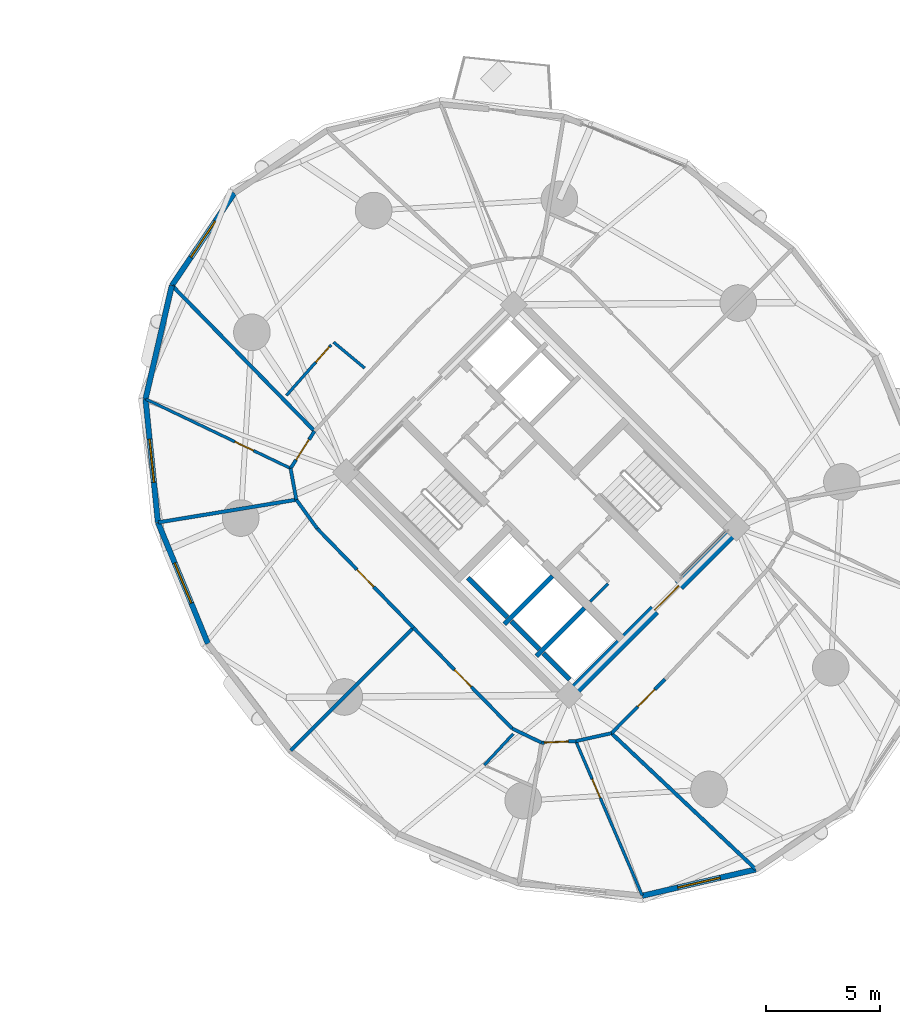
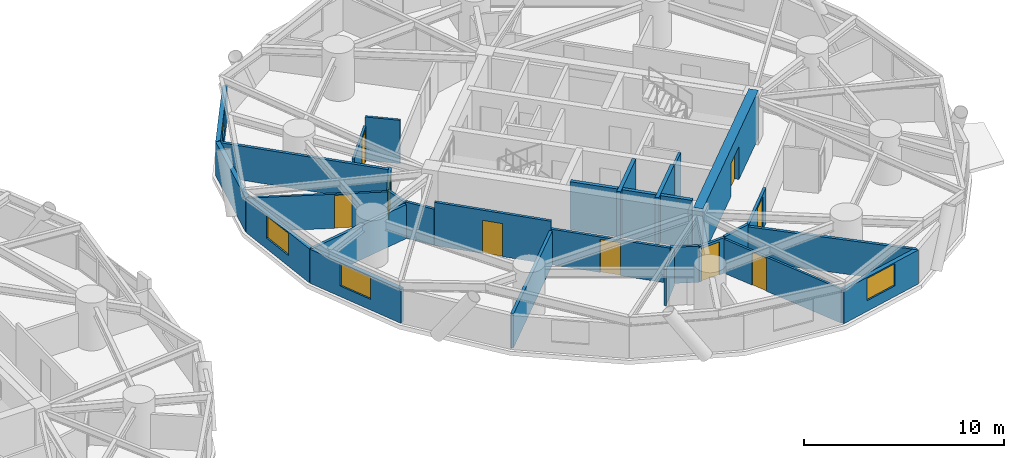
# One storey, part 12 of 19: 30 walls, 9 doors, 4 windows, 13 openings.
"""IFC4 building model written with IfcOpenShell, lengths in metres."""

from ifc_helpers import new_model, si_unit, direction, frame, frame_2d, origin, place, context, subcontext, project, spatial, rectangle, extrude, source, transform, mapped, material, layer, layer_set, type_object, element, fill, save


model = new_model("IFC4")

# Units and contexts
model_context = context("Model", 3, precision=1e-05, world=origin(), true_north=direction((0.0, 1.0)))
body_context = subcontext(model_context, "Body", "Model", "MODEL_VIEW")
ifc_project = project(units=[si_unit("LENGTHUNIT", "METRE"), si_unit("AREAUNIT", "SQUARE_METRE"), si_unit("VOLUMEUNIT", "CUBIC_METRE"), si_unit("PLANEANGLEUNIT", "RADIAN"), si_unit("MASSUNIT", "GRAM", prefix="KILO")], contexts=[model_context])

# Site, building, storey
site_placement = place(None, origin())
site = spatial("IfcSite", under=ifc_project, at=site_placement, CompositionType="ELEMENT")
building_placement = place(site_placement, origin())
building = spatial("IfcBuilding", under=site, at=building_placement, Name="Cununo Teusaquillo Station Towers", CompositionType="ELEMENT")
storey_placement = place(building_placement, frame((0.0, 0.0, 33.639892578125)))
storey = spatial("IfcBuildingStorey", under=building, at=storey_placement, Name="L09", CompositionType="ELEMENT", Elevation=33.639892578125)

# Walls
ifc_material_1 = material(Name="Concrete C50/60", Category="concrete")
ifc_layer_1 = layer(ifc_material_1, 0.199951171875)
ifc_layer_set_1 = layer_set([ifc_layer_1], Name="Concrete C50/60")
wall_type_1 = type_object("IfcWallType", Name="WL-CORE-200", PredefinedType="SHEAR", material=ifc_layer_set_1)
wall_1_placement = place(storey_placement, frame((55.8876953125, 19.0693359375, 0.0), z_axis=(0.0, 0.0, 1.0), x_axis=(0.707106781187, 0.707106781187, 0.0)))
element("IfcWall", 1, at=wall_1_placement, inside=storey, type_object=wall_type_1, Name="L09 Tower B Firefighting Lift Shaft South Shear Wall", PredefinedType="SHEAR", context=body_context, shape_type="SweptSolid", body=[
    extrude(rectangle(XDim=2.969970703125, YDim=0.199951171875, at=frame_2d((1.48486328125, 0.0))), origin(), (0.0, 0.0, 1.0), 2.91015625),
])
wall_2_placement = place(storey_placement, frame((56.01513671875, 19.366455078125, 0.0), z_axis=(0.0, 0.0, 1.0), x_axis=(-0.707106781187, 0.707106781187, 0.0)))
element("IfcWall", 2, at=wall_2_placement, inside=storey, type_object=wall_type_1, Name="L09 Tower B Firefighting Lift Shaft Rear Shear Wall", PredefinedType="SHEAR", context=body_context, shape_type="SweptSolid", body=[
    extrude(rectangle(XDim=2.43994140625, YDim=0.199951171875, at=frame_2d((1.219970703125, 0.0))), origin(), (0.0, 0.0, 1.0), 2.91015625),
])
wall_3_placement = place(storey_placement, frame((57.2841796875, 17.6728515625, 0.0), z_axis=(0.0, 0.0, 1.0), x_axis=(0.707147878904, 0.70706568108, 0.0)))
element("IfcWall", 3, at=wall_3_placement, inside=storey, type_object=wall_type_1, Name="L09 Tower B High-Rise Lift Hoistway Divider Shear Wall", PredefinedType="SHEAR", context=body_context, shape_type="SweptSolid", body=[
    extrude(rectangle(XDim=2.97021484375, YDim=0.199951171875, at=frame_2d((1.485107421875, 0.0))), origin(), (0.0, 0.0, 1.0), 2.91015625),
])
wall_4_placement = place(storey_placement, frame((57.41162109375, 17.969970703125, 0.0), z_axis=(0.0, 0.0, 1.0), x_axis=(-0.707106781187, 0.707106781187, 0.0)))
element("IfcWall", 4, at=wall_4_placement, inside=storey, type_object=wall_type_1, Name="L09 Tower B High-Rise Lift 2 Shaft Rear Shear Wall", PredefinedType="SHEAR", context=body_context, shape_type="SweptSolid", body=[
    extrude(rectangle(XDim=1.73486328125, YDim=0.199951171875, at=frame_2d((0.867431640625, 0.0))), origin(), (0.0, 0.0, 1.0), 2.91015625),
])
wall_5_placement = place(storey_placement, frame((58.7373046875, 16.64404296875, 0.0), z_axis=(0.0, 0.0, 1.0), x_axis=(-0.707032117043, 0.707181437447, 0.0)))
element("IfcWall", 5, at=wall_5_placement, inside=storey, type_object=wall_type_1, Name="L09 Tower B High-Rise Lift 1 Shaft Rear Shear Wall", PredefinedType="SHEAR", context=body_context, shape_type="SweptSolid", body=[
    extrude(rectangle(XDim=1.635009765625, YDim=0.199951171875, at=frame_2d((0.8173828125, 0.0))), origin(), (0.0, 0.0, 1.0), 2.91015625),
])

# Wall, opening, door
ifc_material_2 = material(Name="Concrete C60/75", Category="concrete")
ifc_layer_2 = layer(ifc_material_2, 0.5)
ifc_layer_set_2 = layer_set([ifc_layer_2], Name="Concrete C60/75")
wall_type_2 = type_object("IfcWallType", Name="WL-CORE-500", PredefinedType="SHEAR", material=ifc_layer_set_2)
wall_6_placement = place(storey_placement, frame((58.595947265625, 15.837890625, 0.0), z_axis=(0.0, 0.0, 1.0), x_axis=(0.707106781187, 0.707106781187, 0.0)))
wall_6 = element("IfcWall", 6, at=wall_6_placement, inside=storey, type_object=wall_type_2, Name="L09 Tower B Core Shear Wall S", PredefinedType="SHEAR", context=body_context, shape_type="SweptSolid", body=[
    extrude(rectangle(XDim=10.7001953125, YDim=0.5, at=frame_2d((5.35009765625, 0.0))), origin(), (0.0, 0.0, 1.0), 2.91015625),
])
shared_shape_1 = source(origin(), body_context, "Body", "SweptSolid", [
    extrude(rectangle(XDim=1.5, YDim=2.02001953125, at=frame_2d((0.75, 1.010009765625))), frame((0.0, 0.260009765625, 0.0), z_axis=(0.0, -1.0, 0.0), x_axis=(1.0, 0.0, 0.0)), (0.0, 0.0, 1.0), 0.52001953125),
])
opening_1_placement = place(wall_6_placement, frame((5.449951171875, 0.0, 0.0)))
opening_1 = element("IfcOpeningElement", 7, at=opening_1_placement, cuts=wall_6, Name="Opening D-LB1", PredefinedType="OPENING", context=body_context, shape_type="MappedRepresentation", body=[
    mapped(shared_shape_1, transform((0.0, 0.0, 0.0), x_axis=(1.0, 0.0, 0.0), y_axis=(0.0, 1.0, 0.0), z_axis=(0.0, 0.0, 1.0), scale=1.0)),
])
ifc_material_3 = material(Name="Galvanised fire-rated hollow steel door assembly", Category="steel")
door_type_1 = type_object("IfcDoorType", Name="DR-LOBBY-1500", OperationType="DOUBLE_DOOR_SINGLE_SWING", PredefinedType="DOOR", material=ifc_material_3)
shared_shape_2 = source(origin(), body_context, "Body", "SweptSolid", [
    extrude(rectangle(XDim=1.5, YDim=2.02001953125, at=frame_2d((0.75, 1.010009765625))), frame((0.0, 0.02490234375, 0.0), z_axis=(0.0, -1.0, 0.0), x_axis=(1.0, 0.0, 0.0)), (0.0, 0.0, 1.0), 0.050048828125),
])
door_1_placement = place(opening_1_placement, origin())
door_1 = element("IfcDoor", 8, at=door_1_placement, inside=storey, type_object=door_type_1, Name="L09 Tower B South Core Lift Lobby Door", OperationType="DOUBLE_DOOR_SINGLE_SWING", OverallHeight=2.02001953125, OverallWidth=1.5, PredefinedType="DOOR", context=body_context, shape_type="MappedRepresentation", body=[
    mapped(shared_shape_2, transform((0.0, 0.0, 0.0), x_axis=(1.0, 0.0, 0.0), y_axis=(0.0, 1.0, 0.0), z_axis=(0.0, 0.0, 1.0), scale=1.0)),
])
fill(opening_1, door_1)

# Wall, opening, window
ifc_material_4 = material(Name="Precast concrete C40/50", Category="concrete")
ifc_layer_3 = layer(ifc_material_4, 0.239990234375)
ifc_layer_set_3 = layer_set([ifc_layer_3], Name="Precast concrete C40/50")
wall_type_3 = type_object("IfcWallType", Name="WL-EXT-240", PredefinedType="SOLIDWALL", material=ifc_layer_set_3)
wall_7_placement = place(storey_placement, frame((41.35595703125, 33.87060546875, 0.0), z_axis=(0.0, 0.0, 1.0), x_axis=(0.559621532896, 0.828748297084, 0.0)))
wall_7 = element("IfcWall", 9, at=wall_7_placement, inside=storey, type_object=wall_type_3, Name="L09 Tower B Exterior Facade Wall C05", PredefinedType="SOLIDWALL", context=body_context, shape_type="SweptSolid", body=[
    extrude(rectangle(XDim=4.878662109375, YDim=0.239990234375, at=frame_2d((2.439453125, 0.0))), origin(), (0.0, 0.0, 1.0), 2.072998046875),
])
shared_shape_3 = source(origin(), body_context, "Body", "SweptSolid", [
    extrude(rectangle(XDim=1.89990234375, YDim=1.35009765625, at=frame_2d((0.949951171875, 0.675048828125))), frame((0.0, 0.1298828125, 0.0), z_axis=(0.0, -1.0, 0.0), x_axis=(1.0, 0.0, 0.0)), (0.0, 0.0, 1.0), 0.260009765625),
])
opening_2_placement = place(wall_7_placement, frame((1.489013671875, 0.0, 0.64990234375)))
opening_2 = element("IfcOpeningElement", 10, at=opening_2_placement, cuts=wall_7, Name="Opening WN-02", PredefinedType="OPENING", context=body_context, shape_type="MappedRepresentation", body=[
    mapped(shared_shape_3, transform((0.0, 0.0, 0.0), x_axis=(1.0, 0.0, 0.0), y_axis=(0.0, 1.0, 0.0), z_axis=(0.0, 0.0, 1.0), scale=1.0)),
])
ifc_material_5 = material(Name="Operable acoustic tinted low-E double glazing", Category="glass")
window_type = type_object("IfcWindowType", Name="WIN-OPER-1900", PartitioningType="DOUBLE_PANEL_VERTICAL", PredefinedType="WINDOW", material=ifc_material_5)
shared_shape_4 = source(origin(), body_context, "Body", "SweptSolid", [
    extrude(rectangle(XDim=1.89990234375, YDim=1.35009765625, at=frame_2d((0.949951171875, 0.675048828125))), frame((0.0, 0.030029296875, 0.0), z_axis=(0.0, -1.0, 0.0), x_axis=(1.0, 0.0, 0.0)), (0.0, 0.0, 1.0), 0.06005859375),
])
window_1_placement = place(opening_2_placement, origin())
window_1 = element("IfcWindow", 11, at=window_1_placement, inside=storey, type_object=window_type, Name="L09 Tower B Facade Window C05", OverallHeight=1.35009765625, OverallWidth=1.89990234375, PartitioningType="DOUBLE_PANEL_VERTICAL", PredefinedType="WINDOW", context=body_context, shape_type="MappedRepresentation", body=[
    mapped(shared_shape_4, transform((0.0, 0.0, 0.0), x_axis=(1.0, 0.0, 0.0), y_axis=(0.0, 1.0, 0.0), z_axis=(0.0, 0.0, 1.0), scale=1.0)),
])
fill(opening_2, window_1)

# Wall
wall_8_placement = place(storey_placement, frame((40.2060546875, 28.91015625, 0.0), z_axis=(0.0, 0.0, 1.0), x_axis=(0.22582585901, 0.974167686491, 0.0)))
element("IfcWall", 12, at=wall_8_placement, inside=storey, type_object=wall_type_3, Name="L09 Tower B Exterior Facade Wall C06", PredefinedType="SOLIDWALL", context=body_context, shape_type="SweptSolid", body=[
    extrude(rectangle(XDim=5.092041015625, YDim=0.239990234375, at=frame_2d((2.5458984375, 0.0))), origin(), (0.0, 0.0, 1.0), 2.072998046875),
])

# Wall, opening, window
wall_9_placement = place(storey_placement, frame((40.7490234375, 23.51806640625, 0.0), z_axis=(0.0, 0.0, 1.0), x_axis=(-0.100190592135, 0.994968263437, 0.0)))
wall_9 = element("IfcWall", 13, at=wall_9_placement, inside=storey, type_object=wall_type_3, Name="L09 Tower B Exterior Facade Wall C07", PredefinedType="SOLIDWALL", context=body_context, shape_type="SweptSolid", body=[
    extrude(rectangle(XDim=5.41943359375, YDim=0.239990234375, at=frame_2d((2.709716796875, 0.0))), origin(), (0.0, 0.0, 1.0), 2.072998046875),
])
opening_3_placement = place(wall_9_placement, frame((1.760009765625, 0.0, 0.64990234375)))
opening_3 = element("IfcOpeningElement", 14, at=opening_3_placement, cuts=wall_9, Name="Opening WN-02", PredefinedType="OPENING", context=body_context, shape_type="MappedRepresentation", body=[
    mapped(shared_shape_3, transform((0.0, 0.0, 0.0), x_axis=(1.0, 0.0, 0.0), y_axis=(0.0, 1.0, 0.0), z_axis=(0.0, 0.0, 1.0), scale=1.0)),
])
window_2_placement = place(opening_3_placement, origin())
window_2 = element("IfcWindow", 15, at=window_2_placement, inside=storey, type_object=window_type, Name="L09 Tower B Facade Window C07", OverallHeight=1.35009765625, OverallWidth=1.89990234375, PartitioningType="DOUBLE_PANEL_VERTICAL", PredefinedType="WINDOW", context=body_context, shape_type="MappedRepresentation", body=[
    mapped(shared_shape_4, transform((0.0, 0.0, 0.0), x_axis=(1.0, 0.0, 0.0), y_axis=(0.0, 1.0, 0.0), z_axis=(0.0, 0.0, 1.0), scale=1.0)),
])
fill(opening_3, window_2)

wall_10_placement = place(storey_placement, frame((42.931884765625, 18.22216796875, 0.0), z_axis=(0.0, 0.0, 1.0), x_axis=(-0.381077764176, 0.924542988536, 0.0)))
wall_10 = element("IfcWall", 16, at=wall_10_placement, inside=storey, type_object=wall_type_3, Name="L09 Tower B Exterior Facade Wall C08", PredefinedType="SOLIDWALL", context=body_context, shape_type="SweptSolid", body=[
    extrude(rectangle(XDim=5.72802734375, YDim=0.239990234375, at=frame_2d((2.864013671875, 0.0))), origin(), (0.0, 0.0, 1.0), 2.072998046875),
])
opening_4_placement = place(wall_10_placement, frame((1.9140625, 0.0, 0.64990234375)))
opening_4 = element("IfcOpeningElement", 17, at=opening_4_placement, cuts=wall_10, Name="Opening WN-02", PredefinedType="OPENING", context=body_context, shape_type="MappedRepresentation", body=[
    mapped(shared_shape_3, transform((0.0, 0.0, 0.0), x_axis=(1.0, 0.0, 0.0), y_axis=(0.0, 1.0, 0.0), z_axis=(0.0, 0.0, 1.0), scale=1.0)),
])
window_3_placement = place(opening_4_placement, origin())
window_3 = element("IfcWindow", 18, at=window_3_placement, inside=storey, type_object=window_type, Name="L09 Tower B Facade Window C08", OverallHeight=1.35009765625, OverallWidth=1.89990234375, PartitioningType="DOUBLE_PANEL_VERTICAL", PredefinedType="WINDOW", context=body_context, shape_type="MappedRepresentation", body=[
    mapped(shared_shape_4, transform((0.0, 0.0, 0.0), x_axis=(1.0, 0.0, 0.0), y_axis=(0.0, 1.0, 0.0), z_axis=(0.0, 0.0, 1.0), scale=1.0)),
])
fill(opening_4, window_3)

wall_11_placement = place(storey_placement, frame((66.87060546875, 8.35595703125, 0.0), z_axis=(0.0, 0.0, 1.0), x_axis=(-0.974167686491, -0.22582585901, 0.0)))
wall_11 = element("IfcWall", 19, at=wall_11_placement, inside=storey, type_object=wall_type_3, Name="L09 Tower B Exterior Facade Wall C13", PredefinedType="SOLIDWALL", context=body_context, shape_type="SweptSolid", body=[
    extrude(rectangle(XDim=5.092041015625, YDim=0.239990234375, at=frame_2d((2.5458984375, 0.0))), origin(), (0.0, 0.0, 1.0), 2.072998046875),
])
opening_5_placement = place(wall_11_placement, frame((1.595947265625, 0.0, 0.64990234375)))
opening_5 = element("IfcOpeningElement", 20, at=opening_5_placement, cuts=wall_11, Name="Opening WN-02", PredefinedType="OPENING", context=body_context, shape_type="MappedRepresentation", body=[
    mapped(shared_shape_3, transform((0.0, 0.0, 0.0), x_axis=(1.0, 0.0, 0.0), y_axis=(0.0, 1.0, 0.0), z_axis=(0.0, 0.0, 1.0), scale=1.0)),
])
window_4_placement = place(opening_5_placement, origin())
window_4 = element("IfcWindow", 21, at=window_4_placement, inside=storey, type_object=window_type, Name="L09 Tower B Facade Window C13", OverallHeight=1.35009765625, OverallWidth=1.89990234375, PartitioningType="DOUBLE_PANEL_VERTICAL", PredefinedType="WINDOW", context=body_context, shape_type="MappedRepresentation", body=[
    mapped(shared_shape_4, transform((0.0, 0.0, 0.0), x_axis=(1.0, 0.0, 0.0), y_axis=(0.0, 1.0, 0.0), z_axis=(0.0, 0.0, 1.0), scale=1.0)),
])
fill(opening_5, window_4)

# Walls
ifc_material_6 = material(Name="Fire-rated gypsum plasterboard partition assembly", Category="gypsum")
ifc_layer_4 = layer(ifc_material_6, 0.125)
ifc_layer_set_4 = layer_set([ifc_layer_4], Name="Fire-rated gypsum plasterboard partition assembly")
wall_type_4 = type_object("IfcWallType", Name="WL-PART-125", PredefinedType="PARTITIONING", material=ifc_layer_set_4)
wall_12_placement = place(storey_placement, frame((59.642578125, 20.06640625, 0.0), z_axis=(0.0, 0.0, 1.0), x_axis=(0.707106781187, 0.707106781187, 0.0)))
element("IfcWall", 22, at=wall_12_placement, inside=storey, type_object=wall_type_4, Name="L09 Tower B North-West Lobby Store South Wall", PredefinedType="PARTITIONING", context=body_context, shape_type="SweptSolid", body=[
    extrude(rectangle(XDim=1.10009765625, YDim=0.125, at=frame_2d((0.550048828125, 0.0))), origin(), (0.0, 0.0, 1.0), 2.635009765625),
])
wall_13_placement = place(storey_placement, frame((49.77978515625, 30.264404296875, 0.0), z_axis=(0.0, 0.0, 1.0), x_axis=(-0.768209972595, 0.640197967824, 0.0)))
element("IfcWall", 23, at=wall_13_placement, inside=storey, type_object=wall_type_4, Name="L09 Tower B S02 En-suite Side Wall", PredefinedType="PARTITIONING", context=body_context, shape_type="SweptSolid", body=[
    extrude(rectangle(XDim=1.769775390625, YDim=0.125, at=frame_2d((0.884765625, 0.0))), origin(), (0.0, 0.0, 1.0), 2.635009765625),
])

# Wall, opening, door
wall_14_placement = place(storey_placement, frame((48.318359375, 31.2822265625, 0.0), z_axis=(0.0, 0.0, 1.0), x_axis=(-0.662365127428, -0.749181178333, 0.0)))
wall_14 = element("IfcWall", 24, at=wall_14_placement, inside=storey, type_object=wall_type_4, Name="L09 Tower B S02 En-suite Back Wall", PredefinedType="PARTITIONING", context=body_context, shape_type="SweptSolid", body=[
    extrude(rectangle(XDim=2.952880859375, YDim=0.125, at=frame_2d((1.4765625, 0.0))), origin(), (0.0, 0.0, 1.0), 2.1591796875),
])
shared_shape_5 = source(origin(), body_context, "Body", "SweptSolid", [
    extrude(rectangle(XDim=0.89990234375, YDim=2.0048828125, at=frame_2d((0.449951171875, 1.00244140625))), frame((0.0, 0.072509765625, 0.0), z_axis=(0.0, -1.0, 0.0), x_axis=(1.0, 0.0, 0.0)), (0.0, 0.0, 1.0), 0.14501953125),
])
opening_6_placement = place(wall_14_placement, frame((0.1201171875, 0.0, 0.0)))
opening_6 = element("IfcOpeningElement", 25, at=opening_6_placement, cuts=wall_14, Name="Opening D-IN1", PredefinedType="OPENING", context=body_context, shape_type="MappedRepresentation", body=[
    mapped(shared_shape_5, transform((0.0, 0.0, 0.0), x_axis=(1.0, 0.0, 0.0), y_axis=(0.0, 1.0, 0.0), z_axis=(0.0, 0.0, 1.0), scale=1.0)),
])
ifc_material_7 = material(Name="Acoustic solid-core hardwood leaf assembly", Category="wood")
door_type_2 = type_object("IfcDoorType", Name="DR-INT-900", OperationType="NOTDEFINED", PredefinedType="DOOR", material=ifc_material_7)
shared_shape_6 = source(origin(), body_context, "Body", "SweptSolid", [
    extrude(rectangle(XDim=0.89990234375, YDim=2.0048828125, at=frame_2d((0.449951171875, 1.00244140625))), frame((0.0, 0.02490234375, 0.0), z_axis=(0.0, -1.0, 0.0), x_axis=(1.0, 0.0, 0.0)), (0.0, 0.0, 1.0), 0.050048828125),
])
door_2_placement = place(opening_6_placement, origin())
door_2 = element("IfcDoor", 26, at=door_2_placement, inside=storey, type_object=door_type_2, Name="L09 Tower B S02 En-suite Bathroom Door", OperationType="SINGLE_SWING_LEFT", OverallHeight=2.0048828125, OverallWidth=0.89990234375, PredefinedType="DOOR", context=body_context, shape_type="MappedRepresentation", body=[
    mapped(shared_shape_6, transform((0.0, 0.0, 0.0), x_axis=(1.0, 0.0, 0.0), y_axis=(0.0, 1.0, 0.0), z_axis=(0.0, 0.0, 1.0), scale=1.0)),
])
fill(opening_6, door_2)

wall_15_placement = place(storey_placement, frame((46.543212890625, 25.882080078125, 0.0), z_axis=(0.0, 0.0, 1.0), x_axis=(-0.901937110034, 0.431867398103, 0.0)))
wall_15 = element("IfcWall", 27, at=wall_15_placement, inside=storey, type_object=wall_type_4, Name="L09 Tower B Hotel Executive Meeting Room Suite Subdividing Wall", PredefinedType="PARTITIONING", context=body_context, shape_type="SweptSolid", body=[
    extrude(rectangle(XDim=7.004150390625, YDim=0.125, at=frame_2d((3.501953125, 0.0))), origin(), (0.0, 0.0, 1.0), 2.072998046875),
])
opening_7_placement = place(wall_15_placement, frame((1.800048828125, 0.0, 0.0)))
opening_7 = element("IfcOpeningElement", 28, at=opening_7_placement, cuts=wall_15, Name="Opening D-IN1", PredefinedType="OPENING", context=body_context, shape_type="MappedRepresentation", body=[
    mapped(shared_shape_5, transform((0.0, 0.0, 0.0), x_axis=(1.0, 0.0, 0.0), y_axis=(0.0, 1.0, 0.0), z_axis=(0.0, 0.0, 1.0), scale=1.0)),
])
door_3_placement = place(opening_7_placement, origin())
door_3 = element("IfcDoor", 29, at=door_3_placement, inside=storey, type_object=door_type_2, Name="L09 Tower B Hotel Executive Meeting Room Suite Connecting Door", OperationType="SINGLE_SWING_LEFT", OverallHeight=2.0048828125, OverallWidth=0.89990234375, PredefinedType="DOOR", context=body_context, shape_type="MappedRepresentation", body=[
    mapped(shared_shape_6, transform((0.0, 0.0, 0.0), x_axis=(1.0, 0.0, 0.0), y_axis=(0.0, 1.0, 0.0), z_axis=(0.0, 0.0, 1.0), scale=1.0)),
])
fill(opening_7, door_3)

# Wall
wall_16_placement = place(storey_placement, frame((56.27392578125, 14.283203125, 0.0), z_axis=(0.0, 0.0, 1.0), x_axis=(-0.679968993343, -0.733240866354, 0.0)))
element("IfcWall", 30, at=wall_16_placement, inside=storey, type_object=wall_type_4, Name="L09 Tower B S05 En-suite Side Wall", PredefinedType="PARTITIONING", context=body_context, shape_type="SweptSolid", body=[
    extrude(rectangle(XDim=1.865234375, YDim=0.125, at=frame_2d((0.9326171875, 0.0))), origin(), (0.0, 0.0, 1.0), 2.205078125),
])

# Wall, opening, door
wall_17_placement = place(storey_placement, frame((59.008056640625, 13.962890625, 0.0), z_axis=(0.0, 0.0, 1.0), x_axis=(0.395256697593, -0.918570706592, 0.0)))
wall_17 = element("IfcWall", 31, at=wall_17_placement, inside=storey, type_object=wall_type_4, Name="L09 Tower B Hotel Tea & Reading Salon Suite Subdividing Wall", PredefinedType="PARTITIONING", context=body_context, shape_type="SweptSolid", body=[
    extrude(rectangle(XDim=7.334228515625, YDim=0.125, at=frame_2d((3.6669921875, 0.0))), origin(), (0.0, 0.0, 1.0), 2.072998046875),
])
opening_8_placement = place(wall_17_placement, frame((1.800048828125, 0.0, 0.0)))
opening_8 = element("IfcOpeningElement", 32, at=opening_8_placement, cuts=wall_17, Name="Opening D-IN1", PredefinedType="OPENING", context=body_context, shape_type="MappedRepresentation", body=[
    mapped(shared_shape_5, transform((0.0, 0.0, 0.0), x_axis=(1.0, 0.0, 0.0), y_axis=(0.0, 1.0, 0.0), z_axis=(0.0, 0.0, 1.0), scale=1.0)),
])
door_4_placement = place(opening_8_placement, origin())
door_4 = element("IfcDoor", 33, at=door_4_placement, inside=storey, type_object=door_type_2, Name="L09 Tower B Hotel Tea & Reading Salon Suite Connecting Door", OperationType="SINGLE_SWING_RIGHT", OverallHeight=2.0048828125, OverallWidth=0.89990234375, PredefinedType="DOOR", context=body_context, shape_type="MappedRepresentation", body=[
    mapped(shared_shape_6, transform((0.0, 0.0, 0.0), x_axis=(1.0, 0.0, 0.0), y_axis=(0.0, 1.0, 0.0), z_axis=(0.0, 0.0, 1.0), scale=1.0)),
])
fill(opening_8, door_4)

ifc_material_8 = material(Name="Fire-rated gypsum plasterboard partition assembly", Category="gypsum")
ifc_layer_5 = layer(ifc_material_8, 0.14990234375)
ifc_layer_set_5 = layer_set([ifc_layer_5], Name="Fire-rated gypsum plasterboard partition assembly")
wall_type_5 = type_object("IfcWallType", Name="WL-PART-150", PredefinedType="PARTITIONING", material=ifc_layer_set_5)
wall_18_placement = place(storey_placement, frame((47.58837890625, 27.51025390625, 0.0), z_axis=(0.0, 0.0, 1.0), x_axis=(-0.540202619347, -0.841534984449, 0.0)))
wall_18 = element("IfcWall", 34, at=wall_18_placement, inside=storey, type_object=wall_type_5, Name="L09 Tower B Corridor Ring Wall C06", PredefinedType="PARTITIONING", context=body_context, shape_type="SweptSolid", body=[
    extrude(rectangle(XDim=1.934814453125, YDim=0.14990234375, at=frame_2d((0.96728515625, 0.0))), origin(), (0.0, 0.0, 1.0), 2.1591796875),
])
shared_shape_7 = source(origin(), body_context, "Body", "SweptSolid", [
    extrude(rectangle(XDim=1.050048828125, YDim=2.014892578125, at=frame_2d((0.52490234375, 1.00732421875))), frame((0.0, 0.0849609375, 0.0), z_axis=(0.0, -1.0, 0.0), x_axis=(1.0, 0.0, 0.0)), (0.0, 0.0, 1.0), 0.169921875),
])
opening_9_placement = place(wall_18_placement, frame((0.4423828125, 0.0, 0.0)))
opening_9 = element("IfcOpeningElement", 35, at=opening_9_placement, cuts=wall_18, Name="Opening D-SU1", PredefinedType="OPENING", context=body_context, shape_type="MappedRepresentation", body=[
    mapped(shared_shape_7, transform((0.0, 0.0, 0.0), x_axis=(1.0, 0.0, 0.0), y_axis=(0.0, 1.0, 0.0), z_axis=(0.0, 0.0, 1.0), scale=1.0)),
])
ifc_material_9 = material(Name="Acoustic solid-core hardwood leaf assembly", Category="wood")
door_type_3 = type_object("IfcDoorType", Name="DR-SUITE-1050", OperationType="NOTDEFINED", PredefinedType="DOOR", material=ifc_material_9)
shared_shape_8 = source(origin(), body_context, "Body", "SweptSolid", [
    extrude(rectangle(XDim=1.050048828125, YDim=2.014892578125, at=frame_2d((0.52490234375, 1.00732421875))), frame((0.0, 0.02490234375, 0.0), z_axis=(0.0, -1.0, 0.0), x_axis=(1.0, 0.0, 0.0)), (0.0, 0.0, 1.0), 0.050048828125),
])
door_5_placement = place(opening_9_placement, origin())
door_5 = element("IfcDoor", 36, at=door_5_placement, inside=storey, type_object=door_type_3, Name="L09 Tower B Hotel Executive Meeting Room Entrance Door", OperationType="SINGLE_SWING_RIGHT", OverallHeight=2.014892578125, OverallWidth=1.050048828125, PredefinedType="DOOR", context=body_context, shape_type="MappedRepresentation", body=[
    mapped(shared_shape_8, transform((0.0, 0.0, 0.0), x_axis=(1.0, 0.0, 0.0), y_axis=(0.0, 1.0, 0.0), z_axis=(0.0, 0.0, 1.0), scale=1.0)),
])
fill(opening_9, door_5)

# Walls
wall_19_placement = place(storey_placement, frame((46.543212890625, 25.882080078125, 0.0), z_axis=(0.0, 0.0, 1.0), x_axis=(0.181153502579, -0.983454832976, 0.0)))
element("IfcWall", 37, at=wall_19_placement, inside=storey, type_object=wall_type_5, Name="L09 Tower B Corridor Ring Wall C07", PredefinedType="PARTITIONING", context=body_context, shape_type="SweptSolid", body=[
    extrude(rectangle(XDim=1.39208984375, YDim=0.14990234375, at=frame_2d((0.696044921875, 0.0))), origin(), (0.0, 0.0, 1.0), 2.1591796875),
])
wall_20_placement = place(storey_placement, frame((46.79541015625, 24.512939453125, 0.0), z_axis=(0.0, 0.0, 1.0), x_axis=(0.585628197524, -0.810579801294, 0.0)))
element("IfcWall", 38, at=wall_20_placement, inside=storey, type_object=wall_type_5, Name="L09 Tower B Corridor Ring Wall C08", PredefinedType="PARTITIONING", context=body_context, shape_type="SweptSolid", body=[
    extrude(rectangle(XDim=1.55419921875, YDim=0.14990234375, at=frame_2d((0.777099609375, 0.0))), origin(), (0.0, 0.0, 1.0), 2.205078125),
])

# Wall, opening, door
wall_21_placement = place(storey_placement, frame((47.70556640625, 23.253173828125, 0.0), z_axis=(0.0, 0.0, 1.0), x_axis=(0.696179266346, -0.717867974707, 0.0)))
wall_21 = element("IfcWall", 39, at=wall_21_placement, inside=storey, type_object=wall_type_5, Name="L09 Tower B Corridor Ring Wall C09", PredefinedType="PARTITIONING", context=body_context, shape_type="SweptSolid", body=[
    extrude(rectangle(XDim=6.044677734375, YDim=0.14990234375, at=frame_2d((3.0224609375, 0.0))), origin(), (0.0, 0.0, 1.0), 2.635009765625),
])
opening_10_placement = place(wall_21_placement, frame((2.497314453125, 0.0, 0.0)))
opening_10 = element("IfcOpeningElement", 40, at=opening_10_placement, cuts=wall_21, Name="Opening D-SU1", PredefinedType="OPENING", context=body_context, shape_type="MappedRepresentation", body=[
    mapped(shared_shape_7, transform((0.0, 0.0, 0.0), x_axis=(1.0, 0.0, 0.0), y_axis=(0.0, 1.0, 0.0), z_axis=(0.0, 0.0, 1.0), scale=1.0)),
])
door_6_placement = place(opening_10_placement, origin())
door_6 = element("IfcDoor", 41, at=door_6_placement, inside=storey, type_object=door_type_3, Name="L09 Tower B Hotel Wellness & Fitness Salon Entrance Door", OperationType="SINGLE_SWING_RIGHT", OverallHeight=2.014892578125, OverallWidth=1.050048828125, PredefinedType="DOOR", context=body_context, shape_type="MappedRepresentation", body=[
    mapped(shared_shape_8, transform((0.0, 0.0, 0.0), x_axis=(1.0, 0.0, 0.0), y_axis=(0.0, 1.0, 0.0), z_axis=(0.0, 0.0, 1.0), scale=1.0)),
])
fill(opening_10, door_6)

wall_22_placement = place(storey_placement, frame((51.913818359375, 18.913818359375, 0.0), z_axis=(0.0, 0.0, 1.0), x_axis=(0.699999313799, -0.714143515465, 0.0)))
wall_22 = element("IfcWall", 42, at=wall_22_placement, inside=storey, type_object=wall_type_5, Name="L09 Tower B Corridor Ring Wall C10", PredefinedType="PARTITIONING", context=body_context, shape_type="SweptSolid", body=[
    extrude(rectangle(XDim=6.162109375, YDim=0.14990234375, at=frame_2d((3.0810546875, 0.0))), origin(), (0.0, 0.0, 1.0), 2.1591796875),
])
opening_11_placement = place(wall_22_placement, frame((2.55615234375, 0.0, 0.0)))
opening_11 = element("IfcOpeningElement", 43, at=opening_11_placement, cuts=wall_22, Name="Opening D-SU1", PredefinedType="OPENING", context=body_context, shape_type="MappedRepresentation", body=[
    mapped(shared_shape_7, transform((0.0, 0.0, 0.0), x_axis=(1.0, 0.0, 0.0), y_axis=(0.0, 1.0, 0.0), z_axis=(0.0, 0.0, 1.0), scale=1.0)),
])
door_7_placement = place(opening_11_placement, origin())
door_7 = element("IfcDoor", 44, at=door_7_placement, inside=storey, type_object=door_type_3, Name="L09 Tower B Ambassador Hospitality Suite Entrance Door", OperationType="SINGLE_SWING_LEFT", OverallHeight=2.014892578125, OverallWidth=1.050048828125, PredefinedType="DOOR", context=body_context, shape_type="MappedRepresentation", body=[
    mapped(shared_shape_8, transform((0.0, 0.0, 0.0), x_axis=(1.0, 0.0, 0.0), y_axis=(0.0, 1.0, 0.0), z_axis=(0.0, 0.0, 1.0), scale=1.0)),
])
fill(opening_11, door_7)

# Wall
wall_23_placement = place(storey_placement, frame((56.227294921875, 14.51318359375, 0.0), z_axis=(0.0, 0.0, 1.0), x_axis=(0.901477579283, -0.432825801044, 0.0)))
element("IfcWall", 45, at=wall_23_placement, inside=storey, type_object=wall_type_5, Name="L09 Tower B Corridor Ring Wall C11", PredefinedType="PARTITIONING", context=body_context, shape_type="SweptSolid", body=[
    extrude(rectangle(XDim=1.42431640625, YDim=0.14990234375, at=frame_2d((0.712158203125, 0.0))), origin(), (0.0, 0.0, 1.0), 2.205078125),
])

# Wall, opening, door
wall_24_placement = place(storey_placement, frame((57.51123046875, 13.896728515625, 0.0), z_axis=(0.0, 0.0, 1.0), x_axis=(0.999024538494, 0.044158481476, 0.0)))
wall_24 = element("IfcWall", 46, at=wall_24_placement, inside=storey, type_object=wall_type_5, Name="L09 Tower B Corridor Ring Wall C12", PredefinedType="PARTITIONING", context=body_context, shape_type="SweptSolid", body=[
    extrude(rectangle(XDim=1.498291015625, YDim=0.14990234375, at=frame_2d((0.7490234375, 0.0))), origin(), (0.0, 0.0, 1.0), 2.1591796875),
])
opening_12_placement = place(wall_24_placement, frame((0.1201171875, 0.0, 0.0)))
opening_12 = element("IfcOpeningElement", 47, at=opening_12_placement, cuts=wall_24, Name="Opening D-SU1", PredefinedType="OPENING", context=body_context, shape_type="MappedRepresentation", body=[
    mapped(shared_shape_7, transform((0.0, 0.0, 0.0), x_axis=(1.0, 0.0, 0.0), y_axis=(0.0, 1.0, 0.0), z_axis=(0.0, 0.0, 1.0), scale=1.0)),
])
door_8_placement = place(opening_12_placement, origin())
door_8 = element("IfcDoor", 48, at=door_8_placement, inside=storey, type_object=door_type_3, Name="L09 Tower B Hotel Tea & Reading Salon Entrance Door", OperationType="SINGLE_SWING_LEFT", OverallHeight=2.014892578125, OverallWidth=1.050048828125, PredefinedType="DOOR", context=body_context, shape_type="MappedRepresentation", body=[
    mapped(shared_shape_8, transform((0.0, 0.0, 0.0), x_axis=(1.0, 0.0, 0.0), y_axis=(0.0, 1.0, 0.0), z_axis=(0.0, 0.0, 1.0), scale=1.0)),
])
fill(opening_12, door_8)

# Wall
wall_25_placement = place(storey_placement, frame((59.008056640625, 13.962890625, 0.0), z_axis=(0.0, 0.0, 1.0), x_axis=(0.976020856791, 0.21767702476, 0.0)))
element("IfcWall", 49, at=wall_25_placement, inside=storey, type_object=wall_type_5, Name="L09 Tower B Corridor Ring Wall C13", PredefinedType="PARTITIONING", context=body_context, shape_type="SweptSolid", body=[
    extrude(rectangle(XDim=1.592529296875, YDim=0.14990234375, at=frame_2d((0.79638671875, 0.0))), origin(), (0.0, 0.0, 1.0), 2.205078125),
])

# Wall, opening, door
wall_26_placement = place(storey_placement, frame((60.5625, 14.3095703125, 0.0), z_axis=(0.0, 0.0, 1.0), x_axis=(0.704566236161, 0.709638230975, 0.0)))
wall_26 = element("IfcWall", 50, at=wall_26_placement, inside=storey, type_object=wall_type_5, Name="L09 Tower B Corridor Ring Wall C14", PredefinedType="PARTITIONING", context=body_context, shape_type="SweptSolid", body=[
    extrude(rectangle(XDim=3.3212890625, YDim=0.14990234375, at=frame_2d((1.66064453125, 0.0))), origin(), (0.0, 0.0, 1.0), 2.1591796875),
])
opening_13_placement = place(wall_26_placement, frame((1.643310546875, 0.0, 0.0)))
opening_13 = element("IfcOpeningElement", 51, at=opening_13_placement, cuts=wall_26, Name="Opening D-SU1", PredefinedType="OPENING", context=body_context, shape_type="MappedRepresentation", body=[
    mapped(shared_shape_7, transform((0.0, 0.0, 0.0), x_axis=(1.0, 0.0, 0.0), y_axis=(0.0, 1.0, 0.0), z_axis=(0.0, 0.0, 1.0), scale=1.0)),
])
door_9_placement = place(opening_13_placement, origin())
door_9 = element("IfcDoor", 52, at=door_9_placement, inside=storey, type_object=door_type_3, Name="L09 Tower B Diplomatic Corner Hotel Suite Entrance Door", OperationType="SINGLE_SWING_LEFT", OverallHeight=2.014892578125, OverallWidth=1.050048828125, PredefinedType="DOOR", context=body_context, shape_type="MappedRepresentation", body=[
    mapped(shared_shape_8, transform((0.0, 0.0, 0.0), x_axis=(1.0, 0.0, 0.0), y_axis=(0.0, 1.0, 0.0), z_axis=(0.0, 0.0, 1.0), scale=1.0)),
])
fill(opening_13, door_9)

# Walls
ifc_material_10 = material(Name="Fire-rated gypsum plasterboard partition assembly", Category="gypsum")
ifc_layer_6 = layer(ifc_material_10, 0.159912109375)
ifc_layer_set_6 = layer_set([ifc_layer_6], Name="Fire-rated gypsum plasterboard partition assembly")
wall_type_6 = type_object("IfcWallType", Name="WL-PART-160", PredefinedType="PARTITIONING", material=ifc_layer_set_6)
wall_27_placement = place(storey_placement, frame((47.58837890625, 27.51025390625, 0.0), z_axis=(0.0, 0.0, 1.0), x_axis=(-0.699371977892, 0.714757886657, 0.0)))
element("IfcWall", 53, at=wall_27_placement, inside=storey, type_object=wall_type_6, Name="L09 Tower B Radial Suite Partition R04", PredefinedType="PARTITIONING", context=body_context, shape_type="SweptSolid", body=[
    extrude(rectangle(XDim=8.885986328125, YDim=0.159912109375, at=frame_2d((4.44287109375, 0.0))), origin(), (0.0, 0.0, 1.0), 2.072998046875),
])
wall_28_placement = place(storey_placement, frame((46.79541015625, 24.512939453125, 0.0), z_axis=(0.0, 0.0, 1.0), x_axis=(-0.986729986004, -0.162369746937, 0.0)))
element("IfcWall", 54, at=wall_28_placement, inside=storey, type_object=wall_type_6, Name="L09 Tower B Radial Suite Partition R05", PredefinedType="PARTITIONING", context=body_context, shape_type="SweptSolid", body=[
    extrude(rectangle(XDim=6.107666015625, YDim=0.159912109375, at=frame_2d((3.0537109375, 0.0))), origin(), (0.0, 0.0, 1.0), 2.072998046875),
])
wall_29_placement = place(storey_placement, frame((51.913818359375, 18.913818359375, 0.0), z_axis=(0.0, 0.0, 1.0), x_axis=(-0.707106781187, -0.707106781187, 0.0)))
element("IfcWall", 55, at=wall_29_placement, inside=storey, type_object=wall_type_6, Name="L09 Tower B Radial Suite Partition R06", PredefinedType="PARTITIONING", context=body_context, shape_type="SweptSolid", body=[
    extrude(rectangle(XDim=7.578857421875, YDim=0.159912109375, at=frame_2d((3.78955078125, 0.0))), origin(), (0.0, 0.0, 1.0), 2.072998046875),
])
wall_30_placement = place(storey_placement, frame((60.5625, 14.3095703125, 0.0), z_axis=(0.0, 0.0, 1.0), x_axis=(0.727781661561, -0.685808904211, 0.0)))
element("IfcWall", 56, at=wall_30_placement, inside=storey, type_object=wall_type_6, Name="L09 Tower B Radial Suite Partition R08", PredefinedType="PARTITIONING", context=body_context, shape_type="SweptSolid", body=[
    extrude(rectangle(XDim=8.6552734375, YDim=0.159912109375, at=frame_2d((4.32763671875, 0.0))), origin(), (0.0, 0.0, 1.0), 2.072998046875),
])

save(model, "model.ifc")
